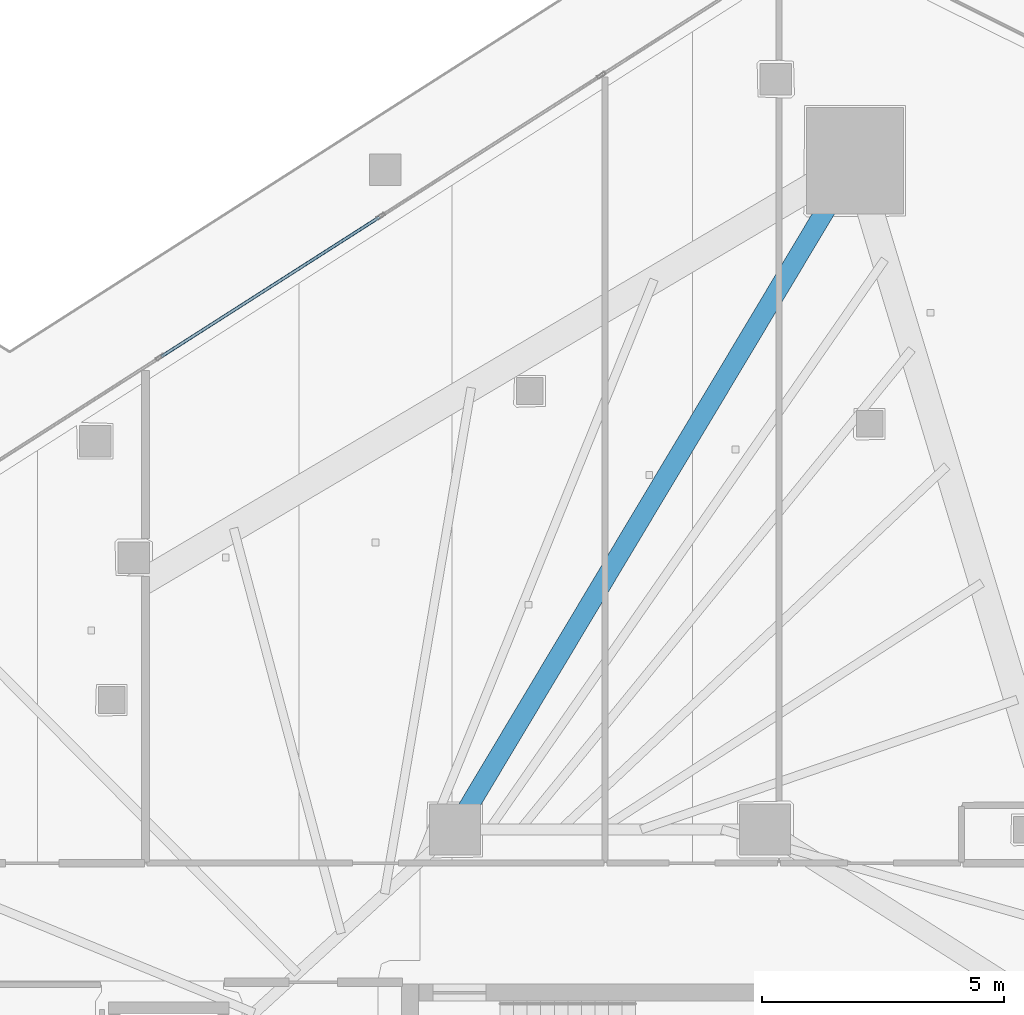
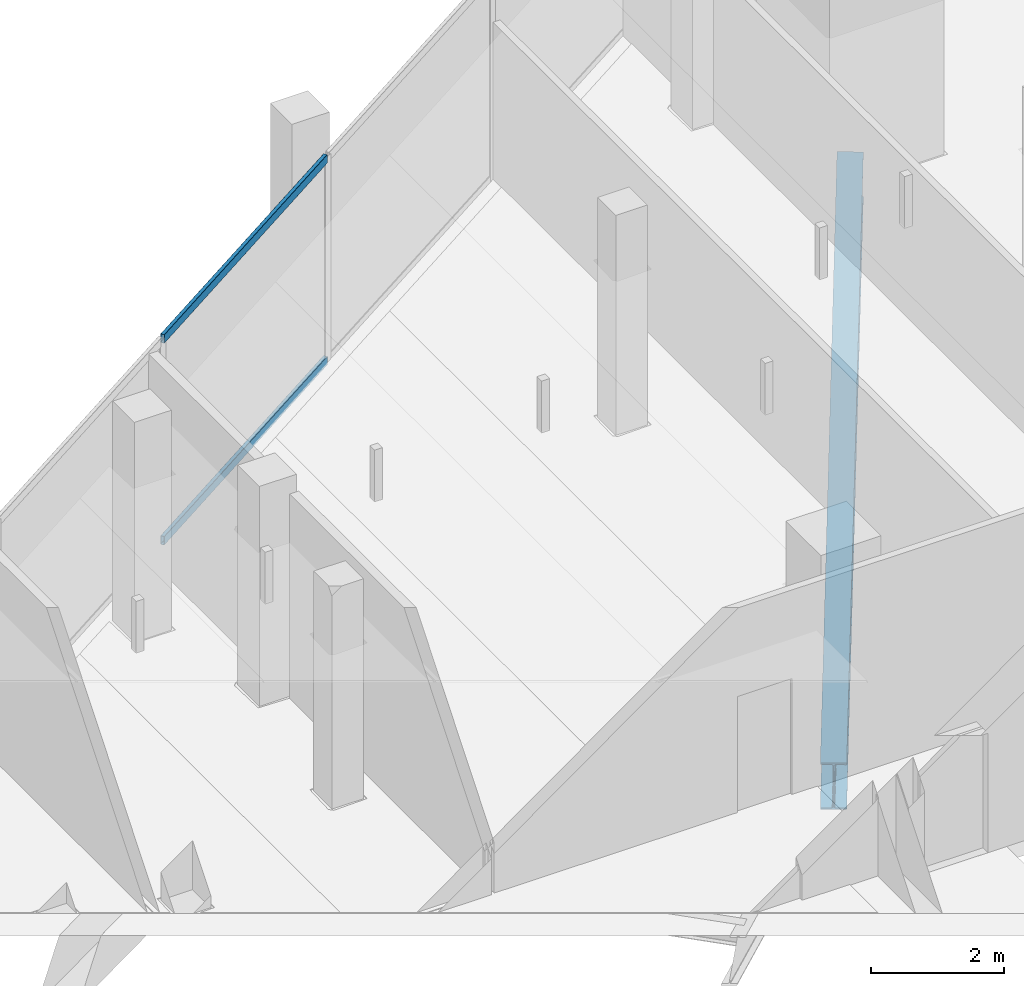
# One storey, part 21 of 39: 2 members, 1 beam, 1 element without a shape of its own.
"""IFC4 building model written with IfcOpenShell, lengths in metres."""

from ifc_helpers import new_model, si_unit, direction, frame, origin, origin_2d, place, context, subcontext, project, spatial, hollow_rectangle, i_section, extrude, material, layer, layer_set, material_profile, profile_set, type_object, element, aggregate, save


model = new_model("IFC4")

# Units and contexts
model_context = context("Model", 3, precision=1e-05, world=origin(), true_north=direction((0.0, 1.0)))
body_context = subcontext(model_context, "Body", "Model", "MODEL_VIEW")
ifc_project = project(units=[si_unit("LENGTHUNIT", "METRE"), si_unit("AREAUNIT", "SQUARE_METRE"), si_unit("VOLUMEUNIT", "CUBIC_METRE"), si_unit("PLANEANGLEUNIT", "RADIAN"), si_unit("MASSUNIT", "GRAM", prefix="KILO")], contexts=[model_context])

# Site, building, storey
site_placement = place(None, origin())
site = spatial("IfcSite", under=ifc_project, at=site_placement, CompositionType="ELEMENT")
building_placement = place(site_placement, origin())
building = spatial("IfcBuilding", under=site, at=building_placement, Name="Qorvath Tower", CompositionType="ELEMENT")
storey_placement = place(building_placement, frame((0.0, 0.0, 142.199951171875)))
storey = spatial("IfcBuildingStorey", under=building, at=storey_placement, Name="L32", CompositionType="ELEMENT", Elevation=142.199951171875)

# Beam
ifc_material_1 = material(Name="Steel ASTM A992 Grade 50", Category="steel")
ifc_material_profile_1 = material_profile(ifc_material_1, i_section(OverallWidth=0.39892578125, OverallDepth=0.85498046875, WebThickness=0.018310546875, FlangeThickness=0.029296875, FilletRadius=0.02001953125, at=origin_2d()), Name="W33x201")
ifc_profile_set_1 = profile_set([ifc_material_profile_1], Name="Steel ASTM A992 Grade 50")
beam_type = type_object("IfcBeamType", Name="BM-FG2", PredefinedType="BEAM", material=ifc_profile_set_1)
beam_placement = place(storey_placement, frame((-23.60009765625, 11.449951171875, -0.697509765625), z_axis=(0.513497213955, 0.85809126045, 0.0), x_axis=(-0.85809126045, 0.513497213955, 0.0)))
element("IfcBeam", 1, at=beam_placement, inside=storey, type_object=beam_type, Name="Radial Floor Girder CC1-MC6 L32", PredefinedType="BEAM", context=body_context, shape_type="SweptSolid", body=[
    extrude(i_section(OverallWidth=0.39892578125, OverallDepth=0.85498046875, WebThickness=0.018310546875, FlangeThickness=0.029296875, FilletRadius=0.02001953125, at=origin_2d()), origin(), (0.0, 0.0, 1.0), 16.07763671875),
])

# Curtain wall, members
ifc_material_2 = material(Name="Anodised aluminium and triple low-E glass", Category="aluminium")
ifc_layer = layer(ifc_material_2, 0.179931640625)
ifc_layer_set = layer_set([ifc_layer], Name="CW-SYS-3")
curtain_wall_type = type_object("IfcCurtainWallType", Name="CW-SYS-3", PredefinedType="NOTDEFINED", material=ifc_layer_set)
curtain_wall_placement = place(storey_placement, origin())
curtain_wall = element("IfcCurtainWall", 2, at=curtain_wall_placement, inside=storey, type_object=curtain_wall_type, Name="Curtain Wall CW-3 CW-T-L32-16.1", PredefinedType="NOTDEFINED")
ifc_material_3 = material(Name="Anodised aluminium 6063-T6", Category="aluminium")
ifc_material_profile_2 = material_profile(ifc_material_3, hollow_rectangle(XDim=0.06494140625, YDim=0.159912109375, WallThickness=0.00341796875, InnerFilletRadius=0.00341796875, OuterFilletRadius=0.007080078125, at=origin_2d()), Name="CWT 160x65")
ifc_profile_set_2 = profile_set([ifc_material_profile_2], Name="Anodised aluminium 6063-T6")
member_type = type_object("IfcMemberType", Name="CWT-160", PredefinedType="USERDEFINED", material=ifc_profile_set_2)
member_1_placement = place(storey_placement, frame((-25.15673828125, 24.081787109375, 0.032470703125), z_axis=(-0.842608601225, -0.538526457234, 0.0), x_axis=(0.538526457234, -0.842608601225, 0.0)))
member_1 = element("IfcMember", 3, at=member_1_placement, type_object=member_type, Name="CW-3 transom 3.1", ObjectType="TRANSOM", PredefinedType="USERDEFINED", context=body_context, shape_type="SweptSolid", body=[
    extrude(hollow_rectangle(XDim=0.06494140625, YDim=0.159912109375, WallThickness=0.00341796875, InnerFilletRadius=0.00341796875, OuterFilletRadius=0.007080078125, at=origin_2d()), origin(), (0.0, 0.0, 1.0), 5.3359375),
])
member_2_placement = place(storey_placement, frame((-25.15673828125, 24.081787109375, 3.74755859375), z_axis=(-0.842608601225, -0.538526457234, 0.0), x_axis=(0.538526457234, -0.842608601225, 0.0)))
member_2 = element("IfcMember", 4, at=member_2_placement, type_object=member_type, Name="CW-3 transom 3.2", ObjectType="TRANSOM", PredefinedType="USERDEFINED", context=body_context, shape_type="SweptSolid", body=[
    extrude(hollow_rectangle(XDim=0.06494140625, YDim=0.159912109375, WallThickness=0.00341796875, InnerFilletRadius=0.00341796875, OuterFilletRadius=0.007080078125, at=origin_2d()), origin(), (0.0, 0.0, 1.0), 5.3359375),
])
aggregate(curtain_wall, [member_1, member_2])

save(model, "model.ifc")
